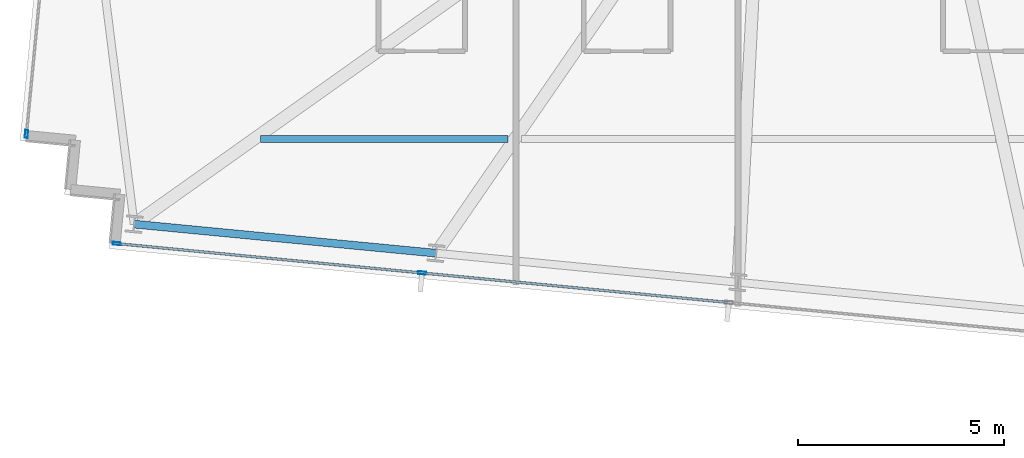
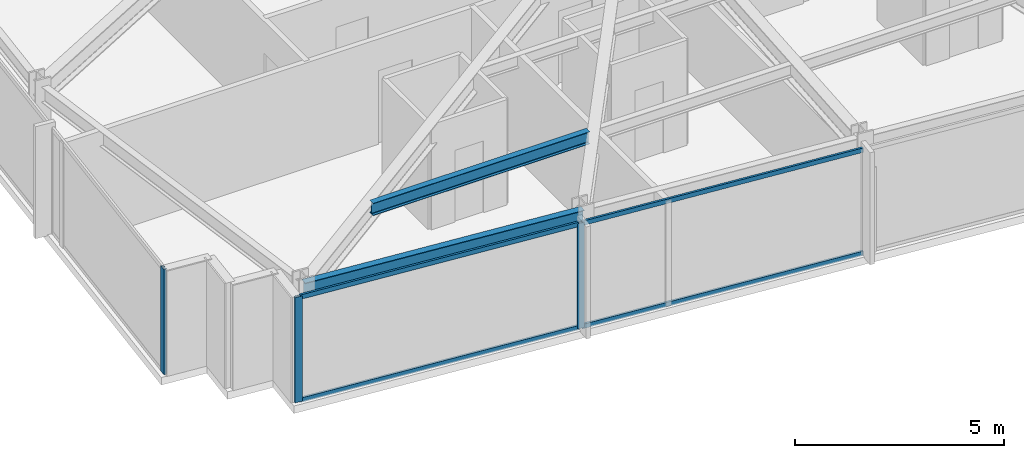
# One storey, part 2 of 37: 7 members, 2 beams, 2 elements without a shape of their own.
"""IFC4 building model written with IfcOpenShell, lengths in metres."""

from ifc_helpers import new_model, si_unit, direction, frame, origin, origin_2d, place, context, subcontext, project, spatial, hollow_rectangle, i_section, extrude, material, material_profile, profile_set, type_object, element, aggregate, save


model = new_model("IFC4")

# Units and contexts
model_context = context("Model", 3, precision=1e-05, world=origin(), true_north=direction((0.0, 1.0)))
body_context = subcontext(model_context, "Body", "Model", "MODEL_VIEW")
ifc_project = project(units=[si_unit("LENGTHUNIT", "METRE"), si_unit("AREAUNIT", "SQUARE_METRE"), si_unit("VOLUMEUNIT", "CUBIC_METRE"), si_unit("PLANEANGLEUNIT", "RADIAN"), si_unit("MASSUNIT", "GRAM", prefix="KILO")], contexts=[model_context])

# Site, building, storey
site_placement = place(None, origin())
site = spatial("IfcSite", under=ifc_project, at=site_placement, CompositionType="ELEMENT")
building_placement = place(site_placement, origin())
building = spatial("IfcBuilding", under=site, at=building_placement, Name="Yelkora Congress Tower", CompositionType="ELEMENT")
storey_placement = place(building_placement, frame((0.0, 0.0, 168.800048828125)))
storey = spatial("IfcBuildingStorey", under=building, at=storey_placement, Name="L46", CompositionType="ELEMENT", Elevation=168.800048828125)

# Beams
ifc_material_1 = material(Name="Steel S355J2", Category="steel")
ifc_material_profile_1 = material_profile(ifc_material_1, i_section(OverallWidth=0.169921875, OverallDepth=0.360107421875, WebThickness=0.008056640625, FlangeThickness=0.0126953125, FilletRadius=0.01806640625, at=origin_2d()), Name="IPE 360")
ifc_profile_set_1 = profile_set([ifc_material_profile_1], Name="Steel S355J2")
beam_type_1 = type_object("IfcBeamType", Name="BM-JOIST-IPE360", PredefinedType="JOIST", material=ifc_profile_set_1)
beam_1_placement = place(storey_placement, frame((6.98779296875, 16.421142578125, 2.89990234375), z_axis=(1.0, 0.0, 0.0), x_axis=(0.0, 1.0, 0.0)))
element("IfcBeam", 1, at=beam_1_placement, inside=storey, type_object=beam_type_1, Name="L46 Composite Floor Joist 5", PredefinedType="JOIST", context=body_context, shape_type="SweptSolid", body=[
    extrude(i_section(OverallWidth=0.169921875, OverallDepth=0.360107421875, WebThickness=0.008056640625, FlangeThickness=0.0126953125, FilletRadius=0.01806640625, at=origin_2d()), origin(), (0.0, 0.0, 1.0), 6.002685546875),
])
ifc_material_profile_2 = material_profile(ifc_material_1, i_section(OverallWidth=0.18994140625, OverallDepth=0.449951171875, WebThickness=0.009521484375, FlangeThickness=0.0146484375, FilletRadius=0.02099609375, at=origin_2d()), Name="IPE 450")
ifc_profile_set_2 = profile_set([ifc_material_profile_2], Name="Steel S355J2")
beam_type_2 = type_object("IfcBeamType", Name="BM-SPAN-IPE450", PredefinedType="SPANDREL", material=ifc_profile_set_2)
beam_2_placement = place(storey_placement, frame((3.919189453125, 14.357421875, 2.85498046875), z_axis=(0.995393938538, -0.095869218844, 0.0), x_axis=(0.095869218844, 0.995393938538, 0.0)))
element("IfcBeam", 2, at=beam_2_placement, inside=storey, type_object=beam_type_2, Name="L46 Perimeter Beam 2", PredefinedType="SPANDREL", context=body_context, shape_type="SweptSolid", body=[
    extrude(i_section(OverallWidth=0.18994140625, OverallDepth=0.449951171875, WebThickness=0.009521484375, FlangeThickness=0.0146484375, FilletRadius=0.02099609375, at=origin_2d()), origin(), (0.0, 0.0, 1.0), 7.357177734375),
])

# Curtain wall, member
ifc_material_2 = material(Name="Anodised aluminium and insulated glass", Category="aluminium")
curtain_wall_type = type_object("IfcCurtainWallType", Name="CW-SYS-B3", PredefinedType="NOTDEFINED", material=ifc_material_2)
curtain_wall_1_placement = place(storey_placement, origin())
curtain_wall_1 = element("IfcCurtainWall", 3, at=curtain_wall_1_placement, inside=storey, type_object=curtain_wall_type, Name="L46 Unitised Curtain Wall 5", PredefinedType="NOTDEFINED")
ifc_material_3 = material(Name="Anodised aluminium 6063-T6", Category="aluminium")
ifc_material_profile_3 = material_profile(ifc_material_3, hollow_rectangle(XDim=0.070068359375, YDim=0.18994140625, WallThickness=0.00390625, at=origin_2d()), Name="ALU 70x190x4")
ifc_profile_set_3 = profile_set([ifc_material_profile_3], Name="Anodised aluminium 6063-T6")
member_type_1 = type_object("IfcMemberType", Name="MEM-ML-B3", PredefinedType="MULLION", material=ifc_profile_set_3)
member_1_placement = place(storey_placement, frame((1.306640625, 16.542724609375, 0.0), z_axis=(0.0, 0.0, 1.0), x_axis=(-0.995396242473, 0.095845294465, 0.0)))
member_1 = element("IfcMember", 4, at=member_1_placement, type_object=member_type_1, Name="CW-B3 mullion 1", PredefinedType="MULLION", context=body_context, shape_type="SweptSolid", body=[
    extrude(hollow_rectangle(XDim=0.070068359375, YDim=0.18994140625, WallThickness=0.00390625, at=origin_2d()), origin(), (0.0, 0.0, 1.0), 3.079833984375),
])
aggregate(curtain_wall_1, [member_1])

# Curtain wall, members
curtain_wall_2_placement = place(storey_placement, origin())
curtain_wall_2 = element("IfcCurtainWall", 5, at=curtain_wall_2_placement, inside=storey, type_object=curtain_wall_type, Name="L46 Unitised Curtain Wall 20", PredefinedType="NOTDEFINED")
member_2_placement = place(storey_placement, frame((10.902099609375, 13.172607421875, 0.0), z_axis=(0.0, 0.0, 1.0), x_axis=(-0.095844680679, -0.995396301573, 0.0)))
member_2 = element("IfcMember", 6, at=member_2_placement, type_object=member_type_1, Name="CW-B3 mullion 7", PredefinedType="MULLION", context=body_context, shape_type="SweptSolid", body=[
    extrude(hollow_rectangle(XDim=0.070068359375, YDim=0.18994140625, WallThickness=0.00390625, at=origin_2d()), origin(), (0.0, 0.0, 1.0), 3.079833984375),
])
member_3_placement = place(storey_placement, frame((3.4970703125, 13.885498046875, 0.0), z_axis=(0.0, 0.0, 1.0), x_axis=(-0.095844680679, -0.995396301573, 0.0)))
member_3 = element("IfcMember", 7, at=member_3_placement, type_object=member_type_1, Name="CW-B3 mullion 8", PredefinedType="MULLION", context=body_context, shape_type="SweptSolid", body=[
    extrude(hollow_rectangle(XDim=0.070068359375, YDim=0.18994140625, WallThickness=0.00390625, at=origin_2d()), origin(), (0.0, 0.0, 1.0), 3.079833984375),
])
ifc_material_profile_4 = material_profile(ifc_material_3, hollow_rectangle(XDim=0.06005859375, YDim=0.1298828125, WallThickness=0.00390625, at=origin_2d()), Name="ALU 60x130x4")
ifc_profile_set_4 = profile_set([ifc_material_profile_4], Name="Anodised aluminium 6063-T6")
member_type_2 = type_object("IfcMemberType", Name="MEM-TR-B3", PredefinedType="USERDEFINED", material=ifc_profile_set_4)
member_4_placement = place(storey_placement, frame((18.30712890625, 12.45947265625, 0.030029296875), z_axis=(-0.99539548672, 0.095853142967, 0.0), x_axis=(-0.095853142967, -0.99539548672, 0.0)))
member_4 = element("IfcMember", 8, at=member_4_placement, type_object=member_type_2, Name="CW-B3 transom 6.1", ObjectType="TRANSOM", PredefinedType="USERDEFINED", context=body_context, shape_type="SweptSolid", body=[
    extrude(hollow_rectangle(XDim=0.06005859375, YDim=0.1298828125, WallThickness=0.00390625, at=origin_2d()), origin(), (0.0, 0.0, 1.0), 7.404296875),
])
member_5_placement = place(storey_placement, frame((18.30712890625, 12.45947265625, 3.050048828125), z_axis=(-0.99539548672, 0.095853142967, 0.0), x_axis=(-0.095853142967, -0.99539548672, 0.0)))
member_5 = element("IfcMember", 9, at=member_5_placement, type_object=member_type_2, Name="CW-B3 transom 6.2", ObjectType="TRANSOM", PredefinedType="USERDEFINED", context=body_context, shape_type="SweptSolid", body=[
    extrude(hollow_rectangle(XDim=0.06005859375, YDim=0.1298828125, WallThickness=0.00390625, at=origin_2d()), origin(), (0.0, 0.0, 1.0), 7.404296875),
])
member_6_placement = place(storey_placement, frame((10.8671875, 13.17578125, 0.030029296875), z_axis=(-0.995396212442, 0.095845606344, 0.0), x_axis=(-0.095845606344, -0.995396212442, 0.0)))
member_6 = element("IfcMember", 10, at=member_6_placement, type_object=member_type_2, Name="CW-B3 transom 7.1", ObjectType="TRANSOM", PredefinedType="USERDEFINED", context=body_context, shape_type="SweptSolid", body=[
    extrude(hollow_rectangle(XDim=0.06005859375, YDim=0.1298828125, WallThickness=0.00390625, at=origin_2d()), origin(), (0.0, 0.0, 1.0), 7.369140625),
])
member_7_placement = place(storey_placement, frame((10.8671875, 13.17578125, 3.050048828125), z_axis=(-0.995396212442, 0.095845606344, 0.0), x_axis=(-0.095845606344, -0.995396212442, 0.0)))
member_7 = element("IfcMember", 11, at=member_7_placement, type_object=member_type_2, Name="CW-B3 transom 7.2", ObjectType="TRANSOM", PredefinedType="USERDEFINED", context=body_context, shape_type="SweptSolid", body=[
    extrude(hollow_rectangle(XDim=0.06005859375, YDim=0.1298828125, WallThickness=0.00390625, at=origin_2d()), origin(), (0.0, 0.0, 1.0), 7.369140625),
])
aggregate(curtain_wall_2, [member_2, member_3, member_4, member_5, member_6, member_7])

save(model, "model.ifc")
